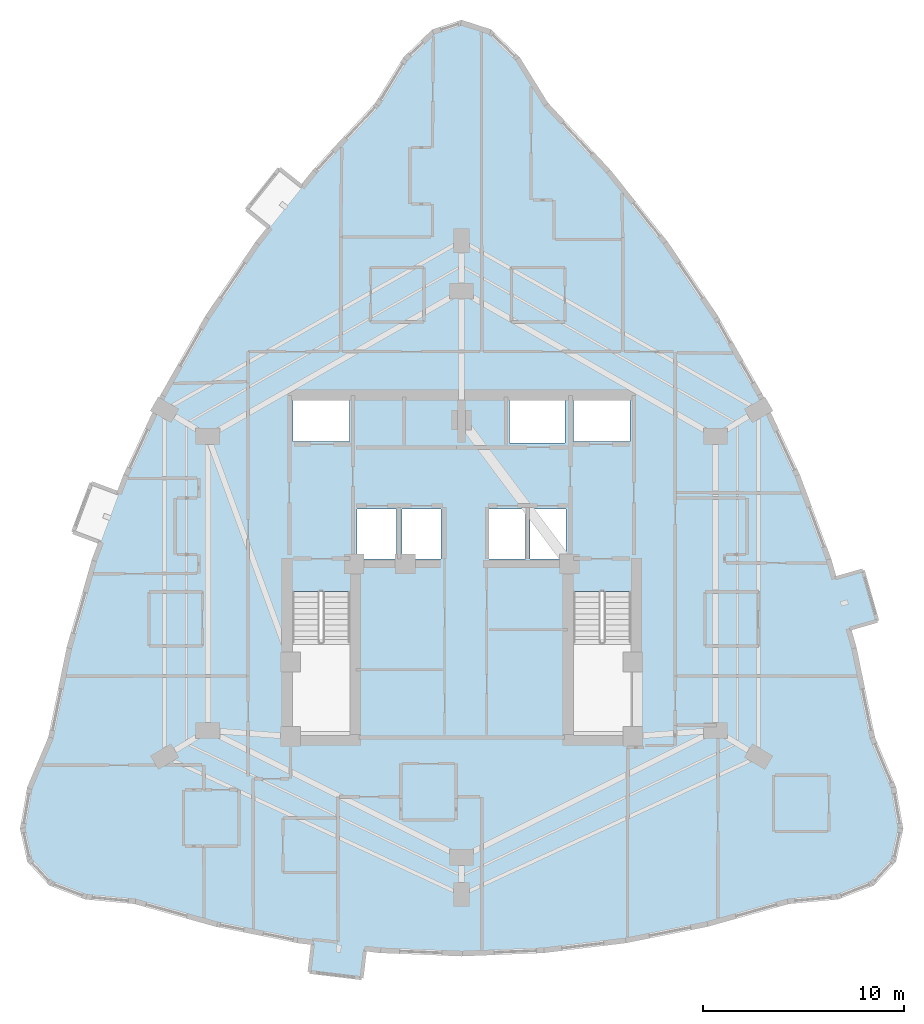
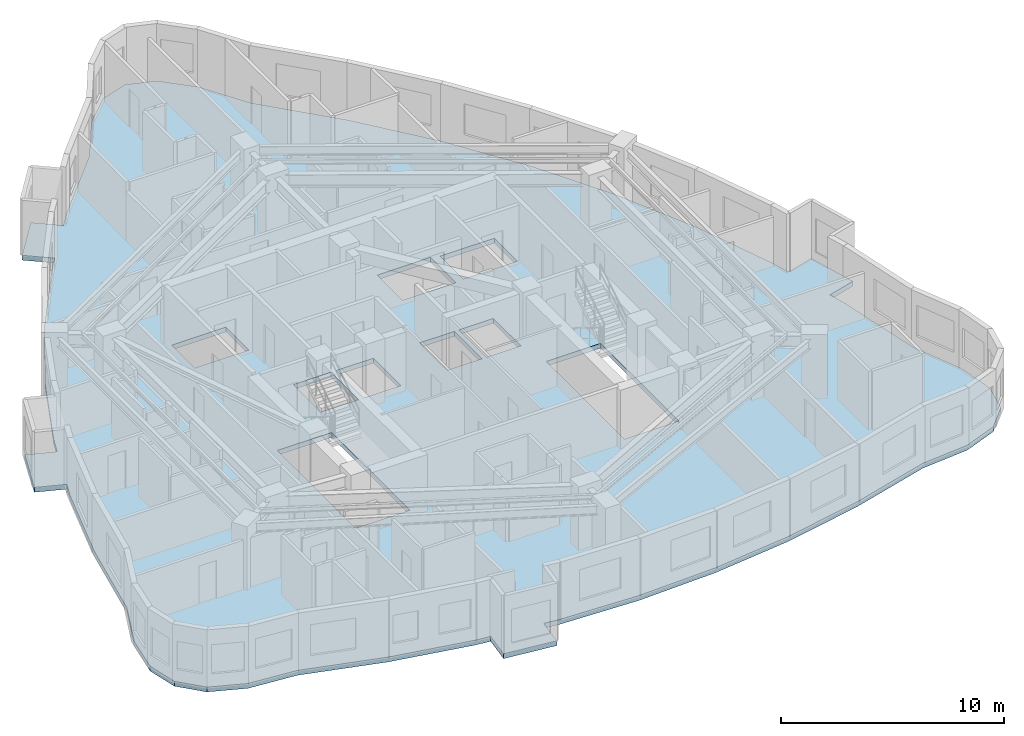
# One storey, part 5 of 14: 1 slab.
"""IFC4 building model written with IfcOpenShell, lengths in metres."""

from ifc_helpers import new_model, si_unit, direction, frame, origin, place, context, subcontext, project, spatial, polyline, outline, extrude, material, layer, layer_set, type_object, element, save


model = new_model("IFC4")

# Units and contexts
model_context = context("Model", 3, precision=1e-05, world=origin(), true_north=direction((0.0, 1.0)))
body_context = subcontext(model_context, "Body", "Model", "MODEL_VIEW")
ifc_project = project(units=[si_unit("LENGTHUNIT", "METRE"), si_unit("AREAUNIT", "SQUARE_METRE"), si_unit("VOLUMEUNIT", "CUBIC_METRE"), si_unit("PLANEANGLEUNIT", "RADIAN"), si_unit("MASSUNIT", "GRAM", prefix="KILO")], contexts=[model_context])

# Site, building, storey
site_placement = place(None, origin())
site = spatial("IfcSite", under=ifc_project, at=site_placement, CompositionType="ELEMENT")
building_placement = place(site_placement, origin())
building = spatial("IfcBuilding", under=site, at=building_placement, Name="Miruveldt Soraemaru", CompositionType="ELEMENT")
storey_placement = place(building_placement, frame((0.0, 0.0, 131.89990234375)))
storey = spatial("IfcBuildingStorey", under=building, at=storey_placement, Name="L36", CompositionType="ELEMENT", Elevation=131.89990234375)

# Slab
ifc_material = material(Name="Concrete C40/50 (40 MPa)", Category="concrete")
ifc_layer = layer(ifc_material, 0.264892578125, Name="Concrete C40/50 (40 MPa)", Category="concrete")
ifc_layer_set = layer_set([ifc_layer], Name="Concrete C40/50 (40 MPa)")
slab_type = type_object("IfcSlabType", Name="SLAB-RES2-265", PredefinedType="FLOOR", material=ifc_layer_set)
slab_placement = place(storey_placement, frame((0.0, 0.0, -0.264892578125)))
element("IfcSlab", 1, at=slab_placement, inside=storey, type_object=slab_type, Name="L36 Structural Floor Slab", PredefinedType="FLOOR", context=body_context, shape_type="SweptSolid", body=[
    extrude(outline(polyline([(36.4501953125, 23.812744140625), (36.62646484375, 25.2822265625), (35.889404296875, 25.37060546875), (31.834228515625, 26.181640625), (27.779052734375, 27.317138671875), (25.34619140625, 27.5419921875), (23.6083984375, 28.216064453125), (22.565673828125, 29.33984375), (22.218017578125, 30.9130859375), (22.565673828125, 32.935791015625), (23.6083984375, 35.407958984375), (24.53466796875, 39.908935546875), (25.775390625, 44.247802734375), (26.099609375, 45.117919921875), (24.712646484375, 45.634521484375), (25.6201171875, 48.071044921875), (27.007080078125, 47.554443359375), (26.553466796875, 46.336181640625), (27.331298828125, 48.424560546875), (29.201416015625, 52.439208984375), (31.386474609375, 56.29150390625), (33.885986328125, 59.9814453125), (34.482421875, 60.72900390625), (33.325439453125, 61.652099609375), (34.94677734375, 63.6845703125), (36.103759765625, 62.76171875), (35.293212890625, 61.745361328125), (36.7001953125, 63.50927734375), (39.829345703125, 66.875), (41.219482421875, 69.122314453125), (42.60986328125, 70.470703125), (44.0, 70.92041015625), (45.39013671875, 70.470703125), (46.780517578125, 69.122314453125), (48.170654296875, 66.875), (51.2998046875, 63.50927734375), (54.114013671875, 59.9814453125), (56.613525390625, 56.29150390625), (58.798583984375, 52.439208984375), (60.668701171875, 48.424560546875), (62.224609375, 44.247802734375), (62.487548828125, 43.328369140625), (63.910400390625, 43.7353515625), (64.62548828125, 41.235595703125), (63.202392578125, 40.82861328125), (63.46533203125, 39.908935546875), (64.3916015625, 35.407958984375), (65.434326171875, 32.935791015625), (65.781982421875, 30.9130859375), (65.434326171875, 29.33984375), (64.3916015625, 28.216064453125), (62.65380859375, 27.5419921875), (60.220947265625, 27.317138671875), (56.165771484375, 26.181640625), (52.110595703125, 25.37060546875), (48.05517578125, 24.884033203125), (44.0, 24.7216796875), (39.94482421875, 24.884033203125), (37.9169921875, 25.127197265625), (39.2080078125, 24.972412109375), (39.031494140625, 23.5029296875), (36.4501953125, 23.812744140625)]), holes=[polyline([(35.614990234375, 35.6650390625), (38.43505859375, 35.6650390625), (38.43505859375, 42.68505859375), (35.614990234375, 42.68505859375), (35.614990234375, 35.6650390625)]), polyline([(49.56494140625, 35.6650390625), (52.385009765625, 35.6650390625), (52.385009765625, 42.68505859375), (49.56494140625, 42.68505859375), (49.56494140625, 35.6650390625)]), polyline([(40.764892578125, 44.31494140625), (40.764892578125, 46.784912109375), (38.81494140625, 46.784912109375), (38.81494140625, 44.31494140625), (40.764892578125, 44.31494140625)]), polyline([(42.965087890625, 44.31494140625), (42.965087890625, 46.784912109375), (41.034912109375, 46.784912109375), (41.034912109375, 44.31494140625), (42.965087890625, 44.31494140625)]), polyline([(47.1650390625, 44.31494140625), (47.1650390625, 46.784912109375), (45.364990234375, 46.784912109375), (45.364990234375, 44.31494140625), (47.1650390625, 44.31494140625)]), polyline([(49.18505859375, 44.31494140625), (49.18505859375, 46.784912109375), (47.39501953125, 46.784912109375), (47.39501953125, 44.31494140625), (49.18505859375, 44.31494140625)]), polyline([(38.445068359375, 50.135009765625), (38.445068359375, 52.205078125), (35.635009765625, 52.205078125), (35.635009765625, 50.135009765625), (38.445068359375, 50.135009765625)]), polyline([(49.554931640625, 50.135009765625), (52.364990234375, 50.135009765625), (52.364990234375, 52.205078125), (49.554931640625, 52.205078125), (49.554931640625, 50.135009765625)]), polyline([(46.364990234375, 50.06494140625), (49.135009765625, 50.06494140625), (49.135009765625, 52.3349609375), (46.364990234375, 52.3349609375), (46.364990234375, 50.06494140625)])]), origin(), (0.0, 0.0, 1.0), 0.264892578125),
])

save(model, "model.ifc")
